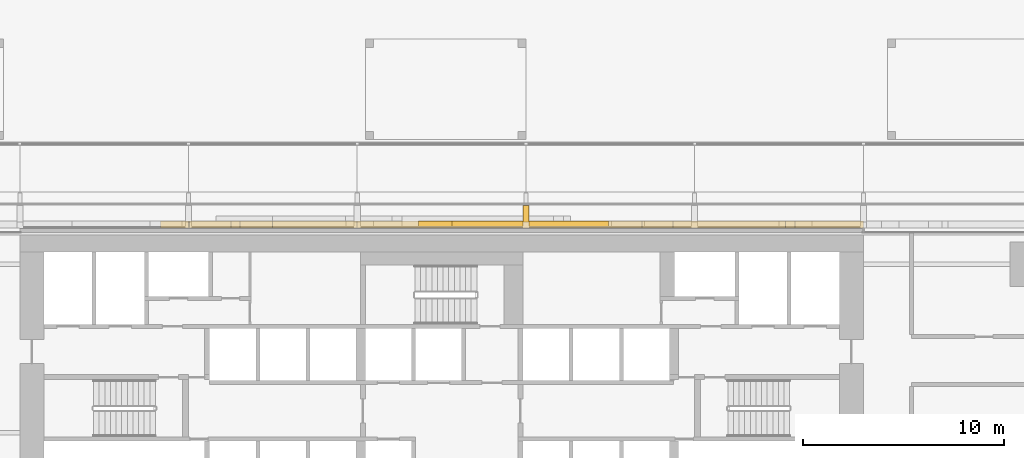
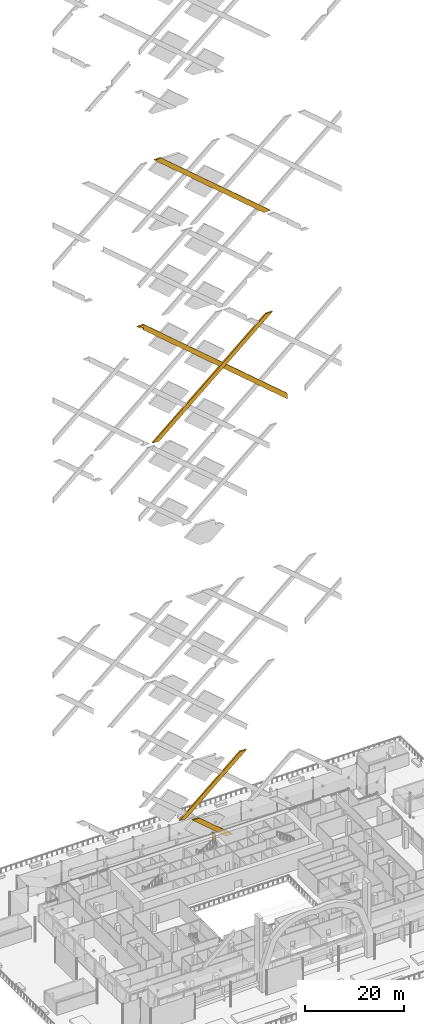
# One storey, part 46 of 60: 6 coverings.
"""IFC4 building model written with IfcOpenShell, lengths in metres."""

from ifc_helpers import new_model, si_unit, direction, frame, origin, origin_2d, place, context, subcontext, project, spatial, polyline, rectangle, outline, extrude, material, layer, layer_set, type_object, element, save


model = new_model("IFC4")

# Units and contexts
model_context = context("Model", 3, precision=1e-05, world=origin(), true_north=direction((0.0, 1.0)))
body_context = subcontext(model_context, "Body", "Model", "MODEL_VIEW")
ifc_project = project(units=[si_unit("LENGTHUNIT", "METRE"), si_unit("AREAUNIT", "SQUARE_METRE"), si_unit("VOLUMEUNIT", "CUBIC_METRE"), si_unit("PLANEANGLEUNIT", "RADIAN"), si_unit("MASSUNIT", "GRAM", prefix="KILO")], contexts=[model_context])

# Site, building, storey
site_placement = place(None, origin())
site = spatial("IfcSite", under=ifc_project, at=site_placement, CompositionType="ELEMENT")
building_placement = place(site_placement, origin())
building = spatial("IfcBuilding", under=site, at=building_placement, Name="Saffron Gate Tower", CompositionType="ELEMENT")
storey_placement = place(building_placement, frame((0.0, 0.0, 19.199951171875)))
storey = spatial("IfcBuildingStorey", under=building, at=storey_placement, Name="L03", CompositionType="ELEMENT", Elevation=19.199951171875)

# Coverings
ifc_material_1 = material(Name="Timber, thermally modified ash", Category="wood")
ifc_layer_1 = layer(ifc_material_1, 0.300048828125)
ifc_layer_set_1 = layer_set([ifc_layer_1], Name="LD3 ledge riser fin")
covering_type_1 = type_object("IfcCoveringType", Name="LD3 ledge riser fin", PredefinedType="CLADDING", material=ifc_layer_set_1)
covering_1_placement = place(storey_placement, frame((91.800048828125, 76.159912109375, 1.626220703125), z_axis=(0.0, 0.0, 1.0), x_axis=(-1.0, 0.0, 0.0)))
element("IfcCovering", 1, at=covering_1_placement, inside=storey, type_object=covering_type_1, Name="LEDGE riser fin", PredefinedType="CLADDING", context=body_context, shape_type="SweptSolid", body=[
    extrude(rectangle(XDim=0.300048828125, YDim=1.1201171875, at=origin_2d()), origin(), (0.0, 0.0, 1.0), 1.93115234375),
])
ifc_material_2 = material(Name="Ceramic-printed bronze insulated panel")
ifc_layer_2 = layer(ifc_material_2, 0.35009765625)
ifc_layer_set_2 = layer_set([ifc_layer_2], Name="LZ1 lozenge lattice bar 1600")
covering_type_2 = type_object("IfcCoveringType", Name="LZ1 lozenge lattice bar 1600", PredefinedType="CLADDING", material=ifc_layer_set_2)
covering_2_placement = place(storey_placement, frame((104.708984375, 75.949951171875, 153.163818359375), z_axis=(0.0, 1.0, 0.0), x_axis=(-0.999586778905, 0.0, 0.028744937603)))
element("IfcCovering", 2, at=covering_2_placement, inside=storey, type_object=covering_type_2, Name="CLADDING lozenge lattice bar", PredefinedType="CLADDING", context=body_context, shape_type="SweptSolid", body=[
    extrude(outline(polyline([(0.0, 0.0), (1.6562019557102479, 0.0), (27.751939177411092, 21.097220525292098), (26.152502715266298, 21.14321523257985), (0.0, 0.0)])), origin(), (0.0, 0.0, -1.0), 0.35009765625),
])
covering_3_placement = place(storey_placement, frame((108.60009765625, 75.949951171875, 106.628662109375), z_axis=(0.0, 1.0, 0.0), x_axis=(0.0, 0.0, -1.0)))
element("IfcCovering", 3, at=covering_3_placement, inside=storey, type_object=covering_type_2, Name="CLADDING lozenge lattice bar", PredefinedType="CLADDING", context=body_context, shape_type="SweptSolid", body=[
    extrude(outline(polyline([(0.0, 0.0), (1.37158203125, 0.0), (-27.428466796875, 33.60009765625), (-28.04150390625, 33.60009765625), (-28.04150390625, 34.315185546875), (-28.621337890625, 34.99169921875), (-28.621337890625, 33.60009765625), (-28.762939453125, 33.60009765625), (-28.76171875, 33.555419921875), (0.0, 0.0)])), origin(), (0.0, 0.0, -1.0), 0.35009765625),
])
covering_4_placement = place(storey_placement, frame((95.907470703125, 75.949951171875, 2.307861328125), z_axis=(0.0, 1.0, 0.0), x_axis=(-0.999586778905, 0.0, 0.028744937603)))
element("IfcCovering", 4, at=covering_4_placement, inside=storey, type_object=covering_type_2, Name="CLADDING lozenge lattice bar", PredefinedType="CLADDING", context=body_context, shape_type="SweptSolid", body=[
    extrude(outline(polyline([(0.0, 0.0), (1.6562019557102479, 0.0), (9.644206054498982, 6.457868301141202), (7.98776005904779, 6.4578753189482345), (0.0, 0.0)])), origin(), (0.0, 0.0, -1.0), 0.35009765625),
])
covering_5_placement = place(storey_placement, frame((84.931396484375, 75.949951171875, 9.88427734375), z_axis=(0.0, 1.0, 0.0), x_axis=(-0.999588569624, 0.0, 0.028682598841)))
element("IfcCovering", 5, at=covering_5_placement, inside=storey, type_object=covering_type_2, Name="CLADDING lozenge lattice bar", PredefinedType="CLADDING", context=body_context, shape_type="SweptSolid", body=[
    extrude(outline(polyline([(0.0, 0.0), (1.5321245031848523, 0.0), (1.5325446584413187, 0.01464241068785703), (-12.28555993046031, 12.563849764580887), (-13.834293170933284, 12.563837860181955), (0.0, 0.0)])), origin(), (0.0, 0.0, -1.0), 0.35009765625),
])
covering_6_placement = place(storey_placement, frame((78.66748046875, 75.949951171875, 105.31494140625), z_axis=(0.0, 1.0, 0.0), x_axis=(-0.999583815893, 0.0, 0.028847790303)))
element("IfcCovering", 6, at=covering_6_placement, inside=storey, type_object=covering_type_2, Name="CLADDING lozenge lattice bar", PredefinedType="CLADDING", context=body_context, shape_type="SweptSolid", body=[
    extrude(outline(polyline([(0.0, 0.0), (1.548740264209261, 0.0), (-24.257841651447634, 23.44464984169278), (-25.857273372483018, 23.49080912334386), (0.0, 0.0)])), origin(), (0.0, 0.0, -1.0), 0.35009765625),
])

save(model, "model.ifc")
